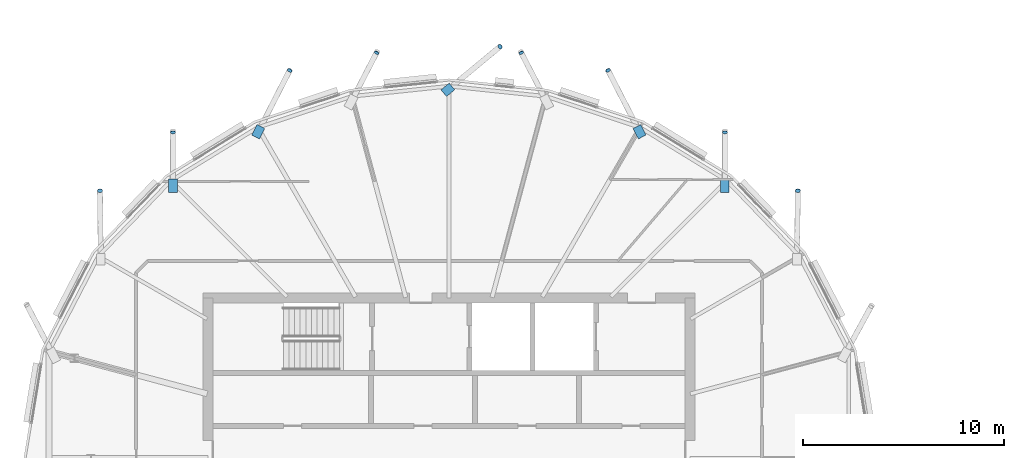
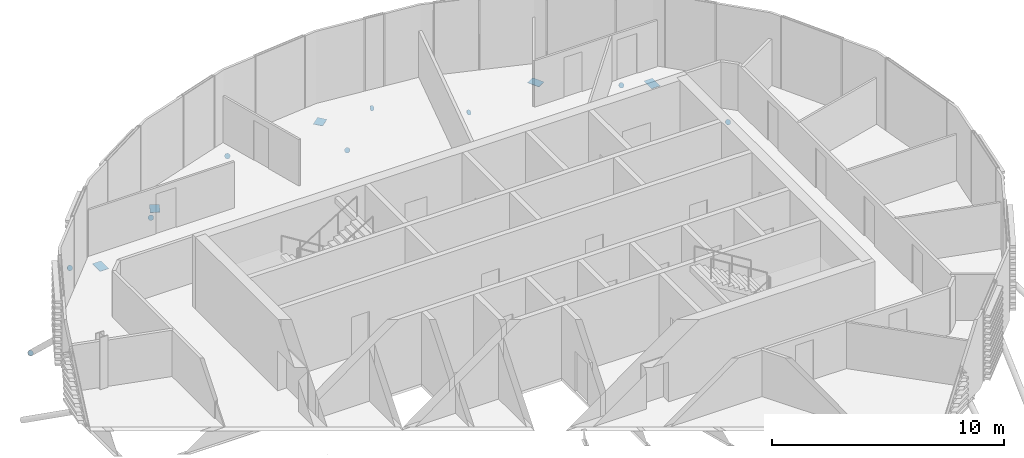
# One storey, part 28 of 38: 14 discrete accessories.
"""IFC4 building model written with IfcOpenShell, lengths in metres."""

import ifcopenshell
import ifcopenshell.guid

model = None  # the IFC model being written
_history = None  # IfcOwnerHistory: only IFC2X3 demands one
_inside = {}  # id of a spatial element -> (the spatial element, [elements in it])
_under = {}  # id of a project, library or spatial element -> (it, [spatial elements below it])
_declared = {}  # id of a project -> (the project, [libraries it declares])
_typed = {}  # id of a type object -> (the type object, [elements of that type])
_made_of = {}  # id of a material, layer set ... -> (it, [elements and type objects made of it])


def new_model(schema):
    """Start an empty IFC model of exactly this schema.

    Asked for "IFC4X3", IfcOpenShell would pick the latest addendum, in which some entities
    have other attributes; the version numbers below select the first issue.
    IFC2X3 requires an IfcOwnerHistory on every rooted entity: one is made here for all.
    """
    global model, _history
    if schema == "IFC4X3":
        model = ifcopenshell.file(schema_version=(4, 3, 0, 0))
    else:
        model = ifcopenshell.file(schema=schema)
    _inside.clear()
    _under.clear()
    _declared.clear()
    _typed.clear()
    _made_of.clear()
    _history = None
    if model.schema == "IFC2X3":
        org = make("IfcOrganization", Name="unknown")
        user = make(
            "IfcPersonAndOrganization",
            ThePerson=make("IfcPerson", FamilyName="unknown"),
            TheOrganization=org,
        )
        app = make(
            "IfcApplication",
            ApplicationDeveloper=org,
            Version="unknown",
            ApplicationFullName="unknown",
            ApplicationIdentifier="unknown",
        )
        _history = make(
            "IfcOwnerHistory",
            OwningUser=user,
            OwningApplication=app,
            ChangeAction="ADDED",
            CreationDate=0,
        )
    return model


def make(cls, **values):
    """One entity of the class cls with the attributes given. An attribute that is None is left unset."""
    return model.create_entity(
        cls, **{name: value for name, value in values.items() if value is not None}
    )


def rooted(cls, **values):
    """An entity with a GlobalId (a new one), such as an element, a storey or a relation."""
    return make(cls, GlobalId=ifcopenshell.guid.new(), OwnerHistory=_history, **values)


def si_unit(unit_type, name, prefix=None):
    """IfcSIUnit, for example si_unit("LENGTHUNIT", "METRE", prefix="MILLI")."""
    return make("IfcSIUnit", UnitType=unit_type, Prefix=prefix, Name=name)


def assignment(units):
    """IfcUnitAssignment: the units of a project."""
    return None if units is None else make("IfcUnitAssignment", Units=units)


def point(xyz):
    """IfcCartesianPoint."""
    return None if xyz is None else make("IfcCartesianPoint", Coordinates=xyz)


def direction(xyz):
    """IfcDirection."""
    return None if xyz is None else make("IfcDirection", DirectionRatios=xyz)


def frame(location, z_axis=None, x_axis=None):
    """IfcAxis2Placement3D, a coordinate frame: its origin and axes. An axis left out is left unset."""
    return make(
        "IfcAxis2Placement3D",
        Location=point(location),
        Axis=direction(z_axis),
        RefDirection=direction(x_axis),
    )


def frame_2d(location, x_axis=None):
    """IfcAxis2Placement2D, a coordinate frame in the plane: its origin and x axis."""
    return make(
        "IfcAxis2Placement2D", Location=point(location), RefDirection=direction(x_axis)
    )


def origin():
    """The frame at (0, 0, 0) with its axes left unset."""
    return frame((0.0, 0.0, 0.0))


def origin_2d():
    """The frame at (0, 0) in the plane with its x axis left unset."""
    return frame_2d((0.0, 0.0))


def place(relative_to, where):
    """IfcLocalPlacement: puts the frame where relative to a parent placement (None: the world)."""
    return make(
        "IfcLocalPlacement", PlacementRelTo=relative_to, RelativePlacement=where
    )


def context(
    kind, dimensions, precision=None, world=None, true_north=None, identifier=None
):
    """IfcGeometricRepresentationContext, for example the 3D "Model" context."""
    return make(
        "IfcGeometricRepresentationContext",
        ContextIdentifier=identifier,
        ContextType=kind,
        CoordinateSpaceDimension=dimensions,
        Precision=precision,
        WorldCoordinateSystem=world,
        TrueNorth=true_north,
    )


def subcontext(parent, identifier, kind, view, scale=None):
    """IfcGeometricRepresentationSubContext, for example "Body" below "Model"."""
    return make(
        "IfcGeometricRepresentationSubContext",
        ContextIdentifier=identifier,
        ContextType=kind,
        ParentContext=parent,
        TargetScale=scale,
        TargetView=view,
    )


def project(units=None, contexts=None):
    """IfcProject with its units and contexts."""
    return rooted(
        "IfcProject",
        Name="project",
        RepresentationContexts=contexts,
        UnitsInContext=assignment(units),
    )


def spatial(cls, under=None, at=None, **own):
    """A site, building, storey or space (cls), placed at a placement, below another one or the project."""
    s = rooted(cls, ObjectPlacement=at, **own)
    if under is not None:
        _under.setdefault(under.id(), (under, []))[1].append(s)
    return s


def polyline(points):
    """IfcPolyline through the points."""
    return make("IfcPolyline", Points=[point(p) for p in points])


def profile(cls, at=None, kind="AREA", **sizes):
    """A parametric profile (cls). Its sizes go by their IFC names, for example OverallWidth=200.0."""
    return make(cls, ProfileType=kind, Position=at, **sizes)


def rectangle(**sizes):
    """IfcRectangleProfileDef."""
    return profile("IfcRectangleProfileDef", **sizes)


def circle(**sizes):
    """IfcCircleProfileDef."""
    return profile("IfcCircleProfileDef", **sizes)


def outline(outer, holes=None, kind="AREA"):
    """IfcArbitraryClosedProfileDef: a profile drawn as a closed curve; with holes, ...WithVoids."""
    if holes is None:
        return make("IfcArbitraryClosedProfileDef", ProfileType=kind, OuterCurve=outer)
    return make(
        "IfcArbitraryProfileDefWithVoids",
        ProfileType=kind,
        OuterCurve=outer,
        InnerCurves=holes,
    )


def extrude(swept, where, along, depth):
    """IfcExtrudedAreaSolid: the profile swept, set in the frame where, extruded along a direction by depth."""
    return make(
        "IfcExtrudedAreaSolid",
        SweptArea=swept,
        Position=where,
        ExtrudedDirection=direction(along),
        Depth=depth,
    )


def shape(context_of_items, identifier, shape_type, items):
    """IfcShapeRepresentation: the items that make up one representation, for example the "Body"."""
    return make(
        "IfcShapeRepresentation",
        ContextOfItems=context_of_items,
        RepresentationIdentifier=identifier,
        RepresentationType=shape_type,
        Items=items,
    )


def material(Name=None, Category=None):
    """IfcMaterial."""
    return make("IfcMaterial", Name=Name, Category=Category)


def material_profile(
    of_material, cross_section, Name=None, Category=None, Priority=None
):
    """IfcMaterialProfile: a cross section and its material."""
    return make(
        "IfcMaterialProfile",
        Name=Name,
        Material=of_material,
        Profile=cross_section,
        Priority=Priority,
        Category=Category,
    )


def profile_set(profiles, Name=None, composite=None):
    """IfcMaterialProfileSet."""
    return make(
        "IfcMaterialProfileSet",
        Name=Name,
        MaterialProfiles=profiles,
        CompositeProfile=composite,
    )


def made_of(thing, what):
    """Note that an element or type object is made of a material, layer set ...; save() writes the relation."""
    if what is not None:
        _made_of.setdefault(what.id(), (what, []))[1].append(thing)
    return thing


def type_object(cls, material=None, **own):
    """A type object (cls), such as IfcWallType, which elements share."""
    return made_of(rooted(cls, **own), material)


def element(
    cls,
    number,
    at=None,
    inside=None,
    cuts=None,
    type_object=None,
    material=None,
    context=None,
    identifier="Body",
    shape_type=None,
    held_by="IfcProductDefinitionShape",
    body=None,
    shapes=None,
    **own,
):
    """One element of the class cls, such as IfcWall. Its Tag is "e" and its number.

    at: its placement. inside: the storey or other place that contains it. cuts: it is an
    opening in that element (IfcRelVoidsElement). A single representation is given by context,
    identifier, shape_type and body (its items); several are given by shapes. held_by: the class
    of the entity that holds the representations. save() writes the other relations.
    """
    e = rooted(cls, Tag="e%d" % number, ObjectPlacement=at, **own)
    if body is not None:
        shapes = [shape(context, identifier, shape_type, body)]
    if shapes is not None:
        e.Representation = make(held_by, Representations=shapes)
    if inside is not None:
        _inside.setdefault(inside.id(), (inside, []))[1].append(e)
    if cuts is not None:
        rooted(
            "IfcRelVoidsElement", RelatingBuildingElement=cuts, RelatedOpeningElement=e
        )
    if type_object is not None:
        _typed.setdefault(type_object.id(), (type_object, []))[1].append(e)
    return made_of(e, material)


def aggregate(whole, parts):
    """IfcRelAggregates: a whole, such as a stair, and the parts it consists of."""
    return rooted("IfcRelAggregates", RelatingObject=whole, RelatedObjects=parts)


def save(model, path):
    """Write the relations noted so far, then the file.

    IfcRelAggregates (storeys below a building ...), IfcRelContainedInSpatialStructure (elements
    in a storey), IfcRelDefinesByType, IfcRelAssociatesMaterial and IfcRelDeclares: one each for
    every whole, place, type object, material and project.
    """
    for whole, parts in _under.values():
        aggregate(whole, parts)
    for where, things in _inside.values():
        rooted(
            "IfcRelContainedInSpatialStructure",
            RelatedElements=things,
            RelatingStructure=where,
        )
    for kind, things in _typed.values():
        rooted("IfcRelDefinesByType", RelatedObjects=things, RelatingType=kind)
    for what, things in _made_of.values():
        rooted("IfcRelAssociatesMaterial", RelatedObjects=things, RelatingMaterial=what)
    for by, libraries in _declared.values():
        rooted("IfcRelDeclares", RelatingContext=by, RelatedDefinitions=libraries)
    model.write(path)


model = new_model("IFC4")

# Units and contexts
model_context = context("Model", 3, precision=1e-05, world=origin(), true_north=direction((0.0, 1.0)))
body_context = subcontext(model_context, "Body", "Model", "MODEL_VIEW")
ifc_project = project(units=[si_unit("LENGTHUNIT", "METRE"), si_unit("AREAUNIT", "SQUARE_METRE"), si_unit("VOLUMEUNIT", "CUBIC_METRE"), si_unit("PLANEANGLEUNIT", "RADIAN"), si_unit("MASSUNIT", "GRAM", prefix="KILO")], contexts=[model_context])

# Site, building, storey
site_placement = place(None, origin())
site = spatial("IfcSite", under=ifc_project, at=site_placement, CompositionType="ELEMENT")
building_placement = place(site_placement, origin())
building = spatial("IfcBuilding", under=site, at=building_placement, Name="Rimbun Link Towers", CompositionType="ELEMENT")
storey_placement = place(building_placement, frame((0.0, 0.0, 218.10009765625)))
storey = spatial("IfcBuildingStorey", under=building, at=storey_placement, Name="L53", CompositionType="ELEMENT", Elevation=218.10009765625)

# Discrete accessories
ifc_material_1 = material(Name="Steel S355J2H", Category="steel")
ifc_material_profile_1 = material_profile(ifc_material_1, circle(Radius=0.1240234375, at=origin_2d()), Name="PL D248")
ifc_profile_set_1 = profile_set([ifc_material_profile_1], Name="Steel S355J2H")
discrete_accessory_type_1 = type_object("IfcDiscreteAccessoryType", Name="Link foot sealing plate D248X20", PredefinedType="BRACKET", material=ifc_profile_set_1)
discrete_accessory_1_placement = place(storey_placement, frame((-14.368408203125, 13.33642578125, -3.745849609375), z_axis=(0.012082441867, 0.724946511996, -0.688699186396), x_axis=(-0.99986114004, 0.016664352334, 0.0)))
element("IfcDiscreteAccessory", 1, at=discrete_accessory_1_placement, inside=storey, type_object=discrete_accessory_type_1, Name="Link foot sealing plate T1 L53 02", PredefinedType="BRACKET", context=body_context, shape_type="SweptSolid", body=[
    extrude(circle(Radius=0.1240234375, at=origin_2d()), origin(), (0.0, 0.0, 1.0), 0.020263671875),
])
for number, where, z_axis, x_axis, name in (
    (2, (-18.00341796875, 16.245849609375, -2.30322265625), (0.0, 0.837610596839, -0.546267780547), (-1.0, 0.0, 0.0), "Link foot sealing plate T1 L53 03"),
    (3, (-23.81982421875, 19.33349609375, -3.56298828125), (-0.351831910518, 0.691531686191, -0.630871011963), (-0.891278030761, -0.453457243721, 0.0), "Link foot sealing plate T1 L53 04"),
    (4, (-28.143798828125, 20.2099609375, -2.358154296875), (-0.400714490161, 0.752857526968, -0.522143123542), (-0.882746759079, -0.469849081445, 0.0), "Link foot sealing plate T1 L53 05"),
):
    element("IfcDiscreteAccessory", number, at=place(storey_placement, frame(where, z_axis=z_axis, x_axis=x_axis)), inside=storey, type_object=discrete_accessory_type_1, Name=name, PredefinedType="BRACKET", context=body_context, shape_type="SweptSolid", body=[
        extrude(circle(Radius=0.1240234375, at=origin_2d()), origin(), (0.0, 0.0, 1.0), 0.02001953125),
    ])
discrete_accessory_2_placement = place(storey_placement, frame((-29.20849609375, 20.517578125, -4.388916015625), z_axis=(0.517415621606, 0.431179684672, -0.739165173723), x_axis=(-0.640184399664, 0.768221279597, 0.0)))
element("IfcDiscreteAccessory", 5, at=discrete_accessory_2_placement, inside=storey, type_object=discrete_accessory_type_1, Name="Link foot sealing plate T1 L53 06", PredefinedType="BRACKET", context=body_context, shape_type="SweptSolid", body=[
    extrude(circle(Radius=0.1240234375, at=origin_2d()), origin(), (0.0, 0.0, 1.0), 0.019775390625),
])
for number, where, z_axis, x_axis, name in (
    (6, (-35.356201171875, 20.2099609375, -2.358154296875), (0.400714490161, 0.752857526968, -0.522143123542), (-0.882746759079, 0.469849081445, 0.0), "Link foot sealing plate T1 L53 07"),
    (7, (-39.68017578125, 19.33349609375, -3.56298828125), (0.351831910518, 0.691531686191, -0.630871011963), (-0.891278030761, 0.453457243721, 0.0), "Link foot sealing plate T1 L53 08"),
    (8, (-45.49658203125, 16.245849609375, -2.30322265625), (0.0, 0.837610596839, -0.546267780547), (-1.0, 0.0, 0.0), "Link foot sealing plate T1 L53 09"),
):
    element("IfcDiscreteAccessory", number, at=place(storey_placement, frame(where, z_axis=z_axis, x_axis=x_axis)), inside=storey, type_object=discrete_accessory_type_1, Name=name, PredefinedType="BRACKET", context=body_context, shape_type="SweptSolid", body=[
        extrude(circle(Radius=0.1240234375, at=origin_2d()), origin(), (0.0, 0.0, 1.0), 0.02001953125),
    ])
discrete_accessory_3_placement = place(storey_placement, frame((-49.131591796875, 13.33642578125, -3.745849609375), z_axis=(-0.012082441867, 0.724946511996, -0.688699186396), x_axis=(-0.99986114004, -0.016664352334, 0.0)))
element("IfcDiscreteAccessory", 9, at=discrete_accessory_3_placement, inside=storey, type_object=discrete_accessory_type_1, Name="Link foot sealing plate T1 L53 10", PredefinedType="BRACKET", context=body_context, shape_type="SweptSolid", body=[
    extrude(circle(Radius=0.1240234375, at=origin_2d()), origin(), (0.0, 0.0, 1.0), 0.020263671875),
])
ifc_material_2 = material(Name="Steel S355J2H", Category="steel")
ifc_material_profile_2 = material_profile(ifc_material_2, rectangle(XDim=0.43310546875, YDim=0.43310546875, at=origin_2d()), Name="PL 433x433")
ifc_profile_set_2 = profile_set([ifc_material_profile_2], Name="Steel S355J2H")
discrete_accessory_type_2 = type_object("IfcDiscreteAccessoryType", Name="Link head end plate 433X20", PredefinedType="BRACKET", material=ifc_profile_set_2)
discrete_accessory_4_placement = place(storey_placement, frame((0.0, 0.0, -0.613525390625)))
element("IfcDiscreteAccessory", 10, at=discrete_accessory_4_placement, inside=storey, type_object=discrete_accessory_type_2, Name="Link head end plate T1 L53 03", PredefinedType="BRACKET", context=body_context, shape_type="SweptSolid", body=[
    extrude(outline(polyline([(-17.788330078125, 13.262451171875), (-17.7880859375, 13.93017578125), (-18.22119140625, 13.930419921875), (-18.221435546875, 13.2626953125), (-17.788330078125, 13.262451171875)])), origin(), (0.0, 0.0, 1.0), 0.02001953125),
])
discrete_accessory_5_placement = place(storey_placement, frame((0.0, 0.0, -0.693115234375)))
element("IfcDiscreteAccessory", 11, at=discrete_accessory_5_placement, inside=storey, type_object=discrete_accessory_type_2, Name="Link head end plate T1 L53 04", PredefinedType="BRACKET", context=body_context, shape_type="SweptSolid", body=[
    extrude(outline(polyline([(-21.92529296875, 16.118896484375), (-22.19287109375, 16.639892578125), (-22.577880859375, 16.44189453125), (-22.310302734375, 15.921142578125), (-21.92529296875, 16.118896484375)])), origin(), (0.0, 0.0, 1.0), 0.02001953125),
])
discrete_accessory_6_placement = place(storey_placement, frame((0.0, 0.0, -0.693115234375)))
element("IfcDiscreteAccessory", 12, at=discrete_accessory_6_placement, inside=storey, type_object=discrete_accessory_type_2, Name="Link head end plate T1 L53 06", PredefinedType="BRACKET", context=body_context, shape_type="SweptSolid", body=[
    extrude(outline(polyline([(-31.86669921875, 18.034423828125), (-31.458984375, 18.372314453125), (-31.7353515625, 18.70556640625), (-32.142822265625, 18.367919921875), (-31.86669921875, 18.034423828125)])), origin(), (0.0, 0.0, 1.0), 0.02001953125),
])
discrete_accessory_7_placement = place(storey_placement, frame((0.0, 0.0, -0.693115234375)))
element("IfcDiscreteAccessory", 13, at=discrete_accessory_7_placement, inside=storey, type_object=discrete_accessory_type_2, Name="Link head end plate T1 L53 08", PredefinedType="BRACKET", context=body_context, shape_type="SweptSolid", body=[
    extrude(outline(polyline([(-41.189697265625, 15.921142578125), (-40.922119140625, 16.44189453125), (-41.30712890625, 16.639892578125), (-41.57470703125, 16.118896484375), (-41.189697265625, 15.921142578125)])), origin(), (0.0, 0.0, 1.0), 0.02001953125),
])
discrete_accessory_8_placement = place(storey_placement, frame((0.0, 0.0, -0.613525390625)))
element("IfcDiscreteAccessory", 14, at=discrete_accessory_8_placement, inside=storey, type_object=discrete_accessory_type_2, Name="Link head end plate T1 L53 09", PredefinedType="BRACKET", context=body_context, shape_type="SweptSolid", body=[
    extrude(outline(polyline([(-45.278564453125, 13.2626953125), (-45.27880859375, 13.930419921875), (-45.7119140625, 13.93017578125), (-45.711669921875, 13.262451171875), (-45.278564453125, 13.2626953125)])), origin(), (0.0, 0.0, 1.0), 0.02001953125),
])

save(model, "model.ifc")
